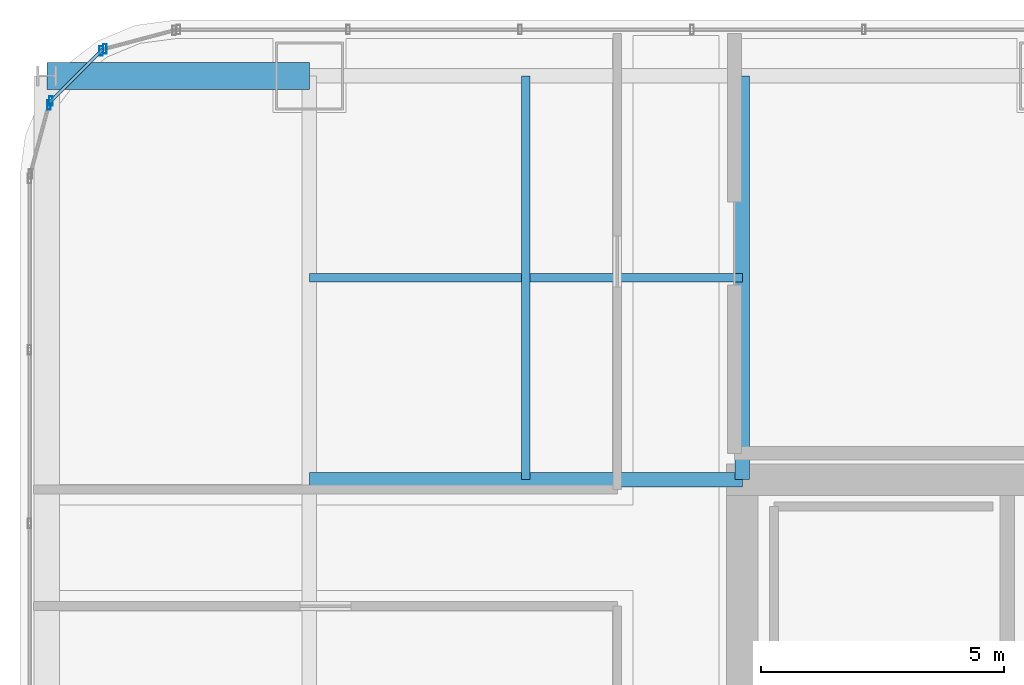
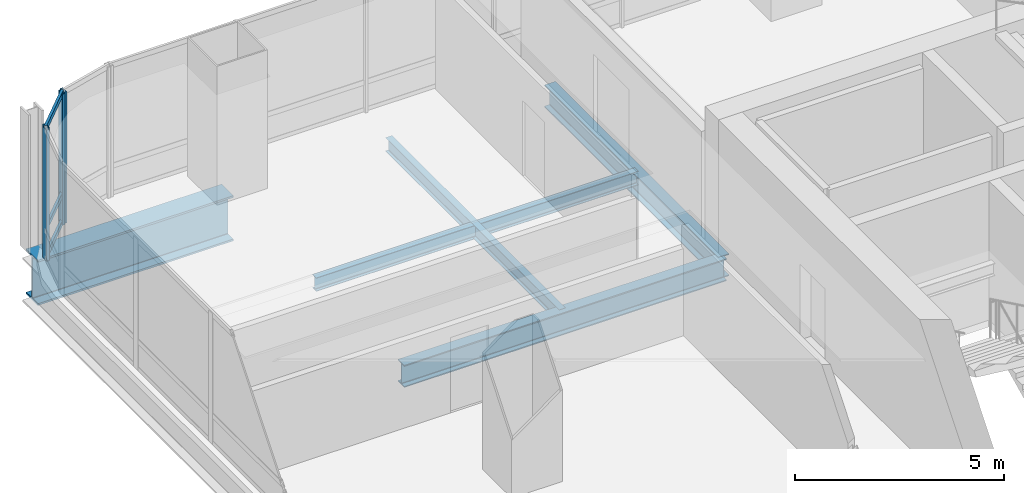
# One storey, part 19 of 36: 7 members, 5 beams, 3 elements without a shape of their own.
"""IFC4 building model written with IfcOpenShell, lengths in metres."""

from ifc_helpers import new_model, si_unit, direction, frame, origin, origin_2d, place, context, subcontext, project, spatial, hollow_rectangle, i_section, extrude, material, material_profile, profile_set, type_object, element, aggregate, save


model = new_model("IFC4")

# Units and contexts
model_context = context("Model", 3, precision=1e-05, world=origin(), true_north=direction((0.0, 1.0)))
body_context = subcontext(model_context, "Body", "Model", "MODEL_VIEW")
ifc_project = project(units=[si_unit("LENGTHUNIT", "METRE"), si_unit("AREAUNIT", "SQUARE_METRE"), si_unit("VOLUMEUNIT", "CUBIC_METRE"), si_unit("PLANEANGLEUNIT", "RADIAN"), si_unit("MASSUNIT", "GRAM", prefix="KILO")], contexts=[model_context])

# Site, building, storey
site_placement = place(None, origin())
site = spatial("IfcSite", under=ifc_project, at=site_placement, CompositionType="ELEMENT")
building_placement = place(site_placement, origin())
building = spatial("IfcBuilding", under=site, at=building_placement, Name="Punatoya Terracotta Tower", CompositionType="ELEMENT")
storey_placement = place(building_placement, frame((0.0, 0.0, 176.25)))
storey = spatial("IfcBuildingStorey", under=building, at=storey_placement, Name="L41", CompositionType="ELEMENT", Elevation=176.25)

# Beams
ifc_material_1 = material(Name="Steel S355", Category="steel")
ifc_material_profile_1 = material_profile(ifc_material_1, i_section(OverallWidth=0.300048828125, OverallDepth=0.64990234375, WebThickness=0.01611328125, FlangeThickness=0.031005859375, FilletRadius=0.01806640625, at=origin_2d()))
ifc_profile_set_1 = profile_set([ifc_material_profile_1], Name="Steel S355")
beam_type_1 = type_object("IfcBeamType", Name="BM-PRI-650", PredefinedType="BEAM", material=ifc_profile_set_1)
beam_1_placement = place(storey_placement, frame((-19.10009765625, 9.199951171875, -0.544921875), z_axis=(1.0, 0.0, 0.0), x_axis=(0.0, 1.0, 0.0)))
element("IfcBeam", 1, at=beam_1_placement, inside=storey, type_object=beam_type_1, Name="BM-L41-PR-WN", PredefinedType="BEAM", context=body_context, shape_type="SweptSolid", body=[
    extrude(i_section(OverallWidth=0.300048828125, OverallDepth=0.64990234375, WebThickness=0.01611328125, FlangeThickness=0.031005859375, FilletRadius=0.01806640625, at=origin_2d()), origin(), (0.0, 0.0, 1.0), 8.900146484375),
])
beam_2_placement = place(storey_placement, frame((-10.199951171875, 9.199951171875, -0.544921875), z_axis=(0.0, 1.0, 0.0), x_axis=(-1.0, 0.0, 0.0)))
element("IfcBeam", 2, at=beam_2_placement, inside=storey, type_object=beam_type_1, Name="BM-L41-PR-N1", PredefinedType="BEAM", context=body_context, shape_type="SweptSolid", body=[
    extrude(i_section(OverallWidth=0.300048828125, OverallDepth=0.64990234375, WebThickness=0.01611328125, FlangeThickness=0.031005859375, FilletRadius=0.01806640625, at=origin_2d()), origin(), (0.0, 0.0, 1.0), 8.300048828125),
])
ifc_material_profile_2 = material_profile(ifc_material_1, i_section(OverallWidth=0.179931640625, OverallDepth=0.39990234375, WebThickness=0.008544921875, FlangeThickness=0.013427734375, FilletRadius=0.01806640625, at=origin_2d()))
ifc_profile_set_2 = profile_set([ifc_material_profile_2], Name="Steel S355")
beam_type_2 = type_object("IfcBeamType", Name="BM-SEC-400", PredefinedType="JOIST", material=ifc_profile_set_2)
beam_3_placement = place(storey_placement, frame((-19.10009765625, 13.35009765625, -0.419921875), z_axis=(1.0, 0.0, 0.0), x_axis=(0.0, 1.0, 0.0)))
element("IfcBeam", 3, at=beam_3_placement, inside=storey, type_object=beam_type_2, Name="BM-L41-SJN-1", PredefinedType="JOIST", context=body_context, shape_type="SweptSolid", body=[
    extrude(i_section(OverallWidth=0.179931640625, OverallDepth=0.39990234375, WebThickness=0.008544921875, FlangeThickness=0.013427734375, FilletRadius=0.01806640625, at=origin_2d()), origin(), (0.0, 0.0, 1.0), 8.900146484375),
])
beam_4_placement = place(storey_placement, frame((-14.64990234375, 9.199951171875, -0.419921875), z_axis=(0.0, 1.0, 0.0), x_axis=(-1.0, 0.0, 0.0)))
element("IfcBeam", 4, at=beam_4_placement, inside=storey, type_object=beam_type_2, Name="BM-L41-SJW-2", PredefinedType="JOIST", context=body_context, shape_type="SweptSolid", body=[
    extrude(i_section(OverallWidth=0.179931640625, OverallDepth=0.39990234375, WebThickness=0.008544921875, FlangeThickness=0.013427734375, FilletRadius=0.01806640625, at=origin_2d()), origin(), (0.0, 0.0, 1.0), 8.300048828125),
])
ifc_material_2 = material(Name="Steel S460", Category="steel")
ifc_material_profile_3 = material_profile(ifc_material_2, i_section(OverallWidth=0.56005859375, OverallDepth=1.320068359375, WebThickness=0.035888671875, FlangeThickness=0.054931640625, FilletRadius=0.01806640625, at=origin_2d()))
ifc_profile_set_3 = profile_set([ifc_material_profile_3], Name="Steel S460")
beam_type_3 = type_object("IfcBeamType", Name="BM-TG-BLK", PredefinedType="BEAM", material=ifc_profile_set_3)
beam_5_placement = place(storey_placement, frame((-24.5, 17.5, -0.8798828125), z_axis=(1.0, 0.0, 0.0), x_axis=(0.0, 1.0, 0.0)))
element("IfcBeam", 5, at=beam_5_placement, inside=storey, type_object=beam_type_3, Name="BM-L41-CANT-W4", PredefinedType="BEAM", context=body_context, shape_type="SweptSolid", body=[
    extrude(i_section(OverallWidth=0.56005859375, OverallDepth=1.320068359375, WebThickness=0.035888671875, FlangeThickness=0.054931640625, FilletRadius=0.01806640625, at=origin_2d()), origin(), (0.0, 0.0, 1.0), 5.39990234375),
])

# Curtain wall, member
ifc_material_3 = material(Name="Aluminium 6063-T6 + Double Low-E Glass", Category="aluminium")
curtain_wall_type = type_object("IfcCurtainWallType", Name="CW-M2", PredefinedType="NOTDEFINED", material=ifc_material_3)
curtain_wall_1_placement = place(storey_placement, origin())
curtain_wall_1 = element("IfcCurtainWall", 6, at=curtain_wall_1_placement, inside=storey, type_object=curtain_wall_type, Name="L41 Curtain Wall CW-L41-CRN10", PredefinedType="NOTDEFINED")
ifc_material_4 = material(Name="Aluminium 6063-T6", Category="aluminium")
ifc_material_profile_4 = material_profile(ifc_material_4, hollow_rectangle(XDim=0.072021484375, YDim=0.195068359375, WallThickness=0.00439453125, at=origin_2d()))
ifc_profile_set_4 = profile_set([ifc_material_profile_4], Name="Aluminium 6063-T6")
member_type_1 = type_object("IfcMemberType", Name="CW-MUL-M2", PredefinedType="MULLION", material=ifc_profile_set_4)
member_1_placement = place(storey_placement, frame((-23.3056640625, 18.05810546875, 0.0), z_axis=(0.0, 0.0, 1.0), x_axis=(1.0, 0.0, 0.0)))
member_1 = element("IfcMember", 7, at=member_1_placement, type_object=member_type_1, Name="CW-L41-CRN10 Mullion 01", PredefinedType="MULLION", context=body_context, shape_type="SweptSolid", body=[
    extrude(hollow_rectangle(XDim=0.072021484375, YDim=0.195068359375, WallThickness=0.00439453125, at=origin_2d()), origin(), (0.0, 0.0, 1.0), 3.830078125),
])
aggregate(curtain_wall_1, [member_1])

# Curtain wall, members
curtain_wall_2_placement = place(storey_placement, origin())
curtain_wall_2 = element("IfcCurtainWall", 8, at=curtain_wall_2_placement, inside=storey, type_object=curtain_wall_type, Name="L41 Curtain Wall CW-L41-CRN11", PredefinedType="NOTDEFINED")
member_2_placement = place(storey_placement, frame((-23.380859375, 18.014892578125, 0.0), z_axis=(0.0, 0.0, 1.0), x_axis=(1.0, 0.0, 0.0)))
member_2 = element("IfcMember", 9, at=member_2_placement, type_object=member_type_1, Name="CW-L41-CRN11 Mullion 00", PredefinedType="MULLION", context=body_context, shape_type="SweptSolid", body=[
    extrude(hollow_rectangle(XDim=0.072021484375, YDim=0.195068359375, WallThickness=0.00439453125, at=origin_2d()), origin(), (0.0, 0.0, 1.0), 3.830078125),
])
member_3_placement = place(storey_placement, frame((-24.414794921875, 16.98095703125, 0.0), z_axis=(0.0, 0.0, 1.0), x_axis=(1.0, 0.0, 0.0)))
member_3 = element("IfcMember", 10, at=member_3_placement, type_object=member_type_1, Name="CW-L41-CRN11 Mullion 01", PredefinedType="MULLION", context=body_context, shape_type="SweptSolid", body=[
    extrude(hollow_rectangle(XDim=0.072021484375, YDim=0.195068359375, WallThickness=0.00439453125, at=origin_2d()), origin(), (0.0, 0.0, 1.0), 3.830078125),
])

# Curtain wall, member
curtain_wall_3_placement = place(storey_placement, origin())
curtain_wall_3 = element("IfcCurtainWall", 11, at=curtain_wall_3_placement, inside=storey, type_object=curtain_wall_type, Name="L41 Curtain Wall CW-L41-CRN12", PredefinedType="NOTDEFINED")
member_4_placement = place(storey_placement, frame((-24.458251953125, 16.905517578125, 0.0), z_axis=(0.0, 0.0, 1.0), x_axis=(1.0, 0.0, 0.0)))
member_4 = element("IfcMember", 12, at=member_4_placement, type_object=member_type_1, Name="CW-L41-CRN12 Mullion 00", PredefinedType="MULLION", context=body_context, shape_type="SweptSolid", body=[
    extrude(hollow_rectangle(XDim=0.072021484375, YDim=0.195068359375, WallThickness=0.00439453125, at=origin_2d()), origin(), (0.0, 0.0, 1.0), 3.830078125),
])
aggregate(curtain_wall_3, [member_4])

# Member
ifc_material_profile_5 = material_profile(ifc_material_4, hollow_rectangle(XDim=0.068115234375, YDim=0.14990234375, WallThickness=0.00390625, at=origin_2d()))
ifc_profile_set_5 = profile_set([ifc_material_profile_5], Name="Aluminium 6063-T6")
member_type_2 = type_object("IfcMemberType", Name="CW-TRN-TYP", PredefinedType="USERDEFINED", material=ifc_profile_set_5)
member_5_placement = place(storey_placement, frame((-23.34912109375, 18.046630859375, 0.0400390625), z_axis=(-0.707106781187, -0.707106781187, 0.0), x_axis=(0.707106781187, -0.707106781187, 0.0)))
member_5 = element("IfcMember", 13, at=member_5_placement, type_object=member_type_2, Name="CW-L41-CRN11 Transom 1", ObjectType="TRANSOM", PredefinedType="USERDEFINED", context=body_context, shape_type="SweptSolid", body=[
    extrude(hollow_rectangle(XDim=0.068115234375, YDim=0.14990234375, WallThickness=0.00390625, at=origin_2d()), origin(), (0.0, 0.0, 1.0), 1.552001953125),
])

member_6_placement = place(storey_placement, frame((-23.34912109375, 18.046630859375, 0.85009765625), z_axis=(-0.707106781187, -0.707106781187, 0.0), x_axis=(0.707106781187, -0.707106781187, 0.0)))
member_6 = element("IfcMember", 14, at=member_6_placement, type_object=member_type_2, Name="CW-L41-CRN11 Transom 2", ObjectType="TRANSOM", PredefinedType="USERDEFINED", context=body_context, shape_type="SweptSolid", body=[
    extrude(hollow_rectangle(XDim=0.068115234375, YDim=0.14990234375, WallThickness=0.00390625, at=origin_2d()), origin(), (0.0, 0.0, 1.0), 1.552001953125),
])

member_7_placement = place(storey_placement, frame((-23.34912109375, 18.046630859375, 3.7900390625), z_axis=(-0.707106781187, -0.707106781187, 0.0), x_axis=(0.707106781187, -0.707106781187, 0.0)))
member_7 = element("IfcMember", 15, at=member_7_placement, type_object=member_type_2, Name="CW-L41-CRN11 Transom 3", ObjectType="TRANSOM", PredefinedType="USERDEFINED", context=body_context, shape_type="SweptSolid", body=[
    extrude(hollow_rectangle(XDim=0.068115234375, YDim=0.14990234375, WallThickness=0.00390625, at=origin_2d()), origin(), (0.0, 0.0, 1.0), 1.552001953125),
])

aggregate(curtain_wall_2, [member_2, member_3, member_5, member_6, member_7])

save(model, "model.ifc")
